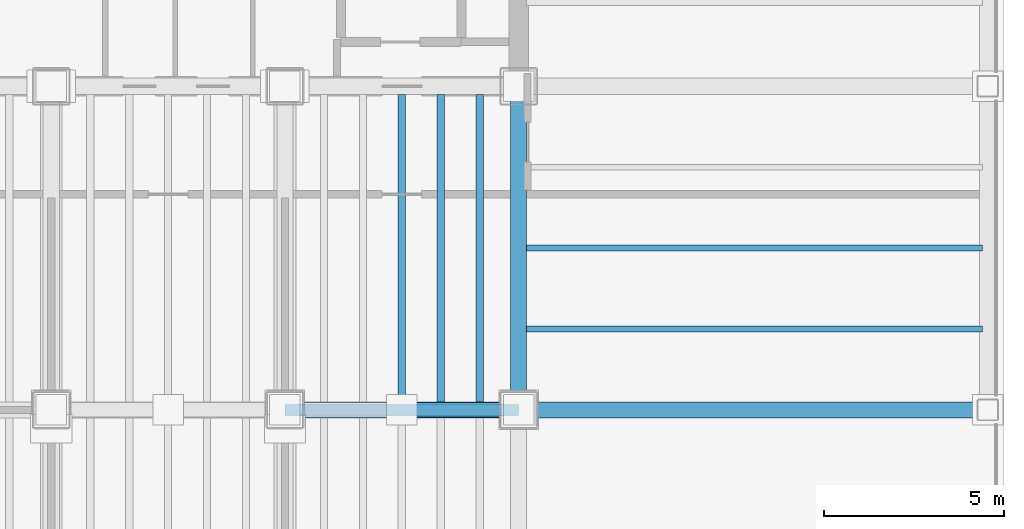
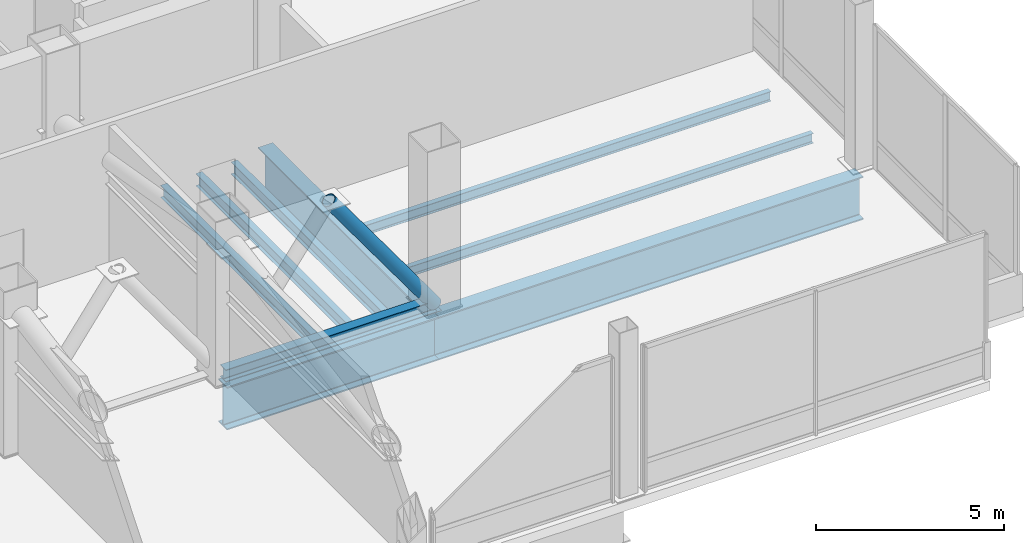
# One storey, part 13 of 20: 8 beams, 2 members.
"""IFC4 building model written with IfcOpenShell, lengths in metres."""

from ifc_helpers import new_model, si_unit, direction, frame, origin, origin_2d, place, context, subcontext, project, spatial, hollow_circle, i_section, extrude, material, material_profile, profile_set, type_object, element, save


model = new_model("IFC4")

# Units and contexts
model_context = context("Model", 3, precision=1e-05, world=origin(), true_north=direction((0.0, 1.0)))
body_context = subcontext(model_context, "Body", "Model", "MODEL_VIEW")
ifc_project = project(units=[si_unit("LENGTHUNIT", "METRE"), si_unit("AREAUNIT", "SQUARE_METRE"), si_unit("VOLUMEUNIT", "CUBIC_METRE"), si_unit("PLANEANGLEUNIT", "RADIAN"), si_unit("MASSUNIT", "GRAM", prefix="KILO")], contexts=[model_context])

# Site, building, storey
site_placement = place(None, origin())
site = spatial("IfcSite", under=ifc_project, at=site_placement, CompositionType="ELEMENT")
building_placement = place(site_placement, origin())
building = spatial("IfcBuilding", under=site, at=building_placement, Name="Noeulbin Bourse Tower", CompositionType="ELEMENT")
storey_placement = place(building_placement, frame((0.0, 0.0, 100.60009765625)))
storey = spatial("IfcBuildingStorey", under=building, at=storey_placement, Name="L25", CompositionType="ELEMENT", Elevation=100.60009765625)

# Beams
ifc_material_1 = material(Name="Steel S355", Category="steel")
ifc_material_profile_1 = material_profile(ifc_material_1, i_section(OverallWidth=0.159912109375, OverallDepth=0.320068359375, WebThickness=0.006591796875, FlangeThickness=0.010009765625, FilletRadius=0.012939453125, at=origin_2d()), Name="H-320x160x6.5x10", Category="LoadBearing")
ifc_profile_set_1 = profile_set([ifc_material_profile_1], Name="Steel S355")
beam_type_1 = type_object("IfcBeamType", Name="BM-JST-320", PredefinedType="JOIST", material=ifc_profile_set_1)
for number, where, z_axis, x_axis, name in (
    (1, (44.22509765625, 22.25, -0.460205078125), (1.0, 0.0, 0.0), (0.0, 1.0, 0.0), "Wing Composite Joist L25-E76"),
    (2, (44.22509765625, 24.5, -0.460205078125), (1.0, 0.0, 0.0), (0.0, 1.0, 0.0), "Wing Composite Joist L25-E77"),
):
    element("IfcBeam", number, at=place(storey_placement, frame(where, z_axis=z_axis, x_axis=x_axis)), inside=storey, type_object=beam_type_1, Name=name, PredefinedType="JOIST", context=body_context, shape_type="SweptSolid", body=[
        extrude(i_section(OverallWidth=0.159912109375, OverallDepth=0.320068359375, WebThickness=0.006591796875, FlangeThickness=0.010009765625, FilletRadius=0.012939453125, at=origin_2d()), origin(), (0.0, 0.0, 1.0), 12.6748046875),
    ])
ifc_material_profile_2 = material_profile(ifc_material_1, i_section(OverallWidth=0.199951171875, OverallDepth=0.39990234375, WebThickness=0.008056640625, FlangeThickness=0.012939453125, FilletRadius=0.01611328125, at=origin_2d()), Name="H-400x200x8x13", Category="LoadBearing")
ifc_profile_set_2 = profile_set([ifc_material_profile_2], Name="Steel S355")
beam_type_2 = type_object("IfcBeamType", Name="BM-SEC-400", PredefinedType="BEAM", material=ifc_profile_set_2)
for number, where, z_axis, x_axis, name in (
    (3, (40.75, 20.22509765625, -0.5), (0.0, 1.0, 0.0), (-1.0, 0.0, 0.0), "Tower Composite Joist L25-62"),
    (4, (41.833251953125, 20.22509765625, -0.5), (0.0, 1.0, 0.0), (-1.0, 0.0, 0.0), "Tower Composite Joist L25-65"),
    (5, (42.916748046875, 20.22509765625, -0.5), (0.0, 1.0, 0.0), (-1.0, 0.0, 0.0), "Tower Composite Joist L25-68"),
):
    element("IfcBeam", number, at=place(storey_placement, frame(where, z_axis=z_axis, x_axis=x_axis)), inside=storey, type_object=beam_type_2, Name=name, PredefinedType="BEAM", context=body_context, shape_type="SweptSolid", body=[
        extrude(i_section(OverallWidth=0.199951171875, OverallDepth=0.39990234375, WebThickness=0.008056640625, FlangeThickness=0.012939453125, FilletRadius=0.01611328125, at=origin_2d()), origin(), (0.0, 0.0, 1.0), 8.5498046875),
    ])
ifc_material_2 = material(Name="Steel S460", Category="steel")
ifc_material_profile_3 = material_profile(ifc_material_2, i_section(OverallWidth=0.449951171875, OverallDepth=1.39990234375, WebThickness=0.02392578125, FlangeThickness=0.0400390625, FilletRadius=0.02392578125, at=origin_2d()), Name="PG-1400x450x24x40", Category="LoadBearing")
ifc_profile_set_3 = profile_set([ifc_material_profile_3], Name="Steel S460")
beam_type_3 = type_object("IfcBeamType", Name="BM-TRF-1400", PredefinedType="USERDEFINED", material=ifc_profile_set_3)
beam_1_placement = place(storey_placement, frame((37.5, 20.0, -1.0), z_axis=(1.0, 0.0, 0.0), x_axis=(0.0, 1.0, 0.0)))
element("IfcBeam", 6, at=beam_1_placement, inside=storey, type_object=beam_type_3, Name="Tower Primary Girder EW L25-1.5", ObjectType="GIRDER", PredefinedType="USERDEFINED", context=body_context, shape_type="SweptSolid", body=[
    extrude(i_section(OverallWidth=0.449951171875, OverallDepth=1.39990234375, WebThickness=0.02392578125, FlangeThickness=0.0400390625, FilletRadius=0.02392578125, at=origin_2d()), origin(), (0.0, 0.0, 1.0), 6.5),
])
beam_2_placement = place(storey_placement, frame((44.0, 20.0, -1.0), z_axis=(1.0, 0.0, 0.0), x_axis=(0.0, 1.0, 0.0)))
element("IfcBeam", 7, at=beam_2_placement, inside=storey, type_object=beam_type_3, Name="Tower Primary Girder EW L25-1.6", ObjectType="GIRDER", PredefinedType="USERDEFINED", context=body_context, shape_type="SweptSolid", body=[
    extrude(i_section(OverallWidth=0.449951171875, OverallDepth=1.39990234375, WebThickness=0.02392578125, FlangeThickness=0.0400390625, FilletRadius=0.02392578125, at=origin_2d()), origin(), (0.0, 0.0, 1.0), 13.050048828125),
])
beam_3_placement = place(storey_placement, frame((44.0, 20.0, -1.0), z_axis=(0.0, 1.0, 0.0), x_axis=(-1.0, 0.0, 0.0)))
element("IfcBeam", 8, at=beam_3_placement, inside=storey, type_object=beam_type_3, Name="Tower Primary Girder NS L25-5.2", ObjectType="GIRDER", PredefinedType="USERDEFINED", context=body_context, shape_type="SweptSolid", body=[
    extrude(i_section(OverallWidth=0.449951171875, OverallDepth=1.39990234375, WebThickness=0.02392578125, FlangeThickness=0.0400390625, FilletRadius=0.02392578125, at=origin_2d()), origin(), (0.0, 0.0, 1.0), 9.0),
])

# Members
ifc_material_profile_4 = material_profile(ifc_material_1, hollow_circle(Radius=0.203125, WallThickness=0.01611328125, at=origin_2d()), Name="CHS-406.4x16.0", Category="LoadBearing")
ifc_profile_set_4 = profile_set([ifc_material_profile_4], Name="Steel S355")
member_type_1 = type_object("IfcMemberType", Name="MEM-BLT-406", PredefinedType="BRACE", material=ifc_profile_set_4)
member_1_placement = place(storey_placement, frame((40.75, 20.0, 4.5), z_axis=(0.58634739167, 0.0, -0.810059711553), x_axis=(0.0, 1.0, 0.0)))
element("IfcMember", 9, at=member_1_placement, inside=storey, type_object=member_type_1, Name="Interior Spine Belt Diagonal BT-L25-3B", PredefinedType="BRACE", context=body_context, shape_type="SweptSolid", body=[
    extrude(hollow_circle(Radius=0.203125, WallThickness=0.01611328125, at=origin_2d()), origin(), (0.0, 0.0, 1.0), 5.542724609375),
])
ifc_material_profile_5 = material_profile(ifc_material_1, i_section(OverallWidth=0.300048828125, OverallDepth=0.389892578125, WebThickness=0.010009765625, FlangeThickness=0.01611328125, FilletRadius=0.01806640625, at=origin_2d()), Name="H-390x300x10x16", Category="LoadBearing")
ifc_profile_set_5 = profile_set([ifc_material_profile_5], Name="Steel S355")
member_type_2 = type_object("IfcMemberType", Name="MEM-CHD-390", PredefinedType="CHORD", material=ifc_profile_set_5)
member_2_placement = place(storey_placement, frame((37.5, 20.0, 0.010009765625), z_axis=(1.0, 0.0, 0.0), x_axis=(0.0, 1.0, 0.0)))
element("IfcMember", 10, at=member_2_placement, inside=storey, type_object=member_type_2, Name="Interior Spine Belt Chord CH-L25-B3", PredefinedType="CHORD", context=body_context, shape_type="SweptSolid", body=[
    extrude(i_section(OverallWidth=0.300048828125, OverallDepth=0.389892578125, WebThickness=0.010009765625, FlangeThickness=0.01611328125, FilletRadius=0.01806640625, at=origin_2d()), origin(), (0.0, 0.0, 1.0), 6.5),
])

save(model, "model.ifc")
